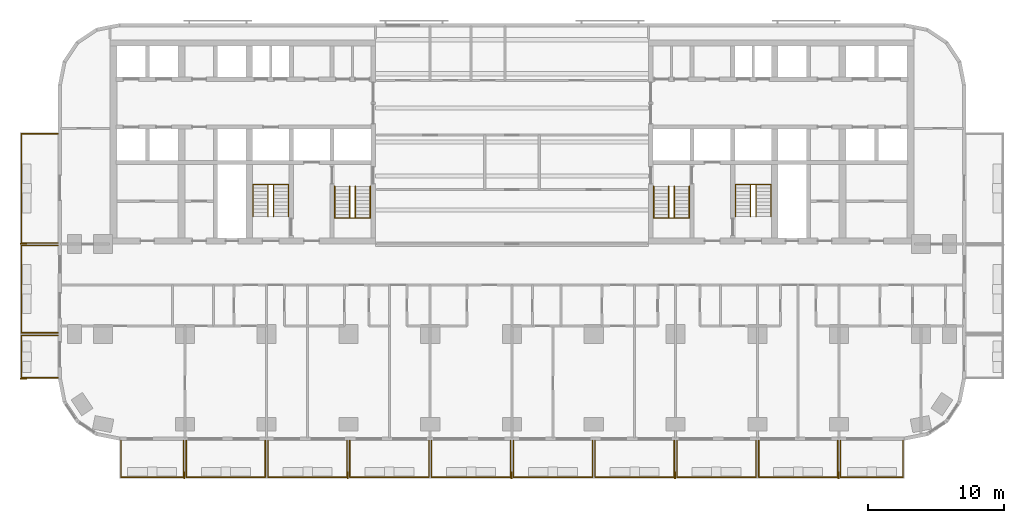
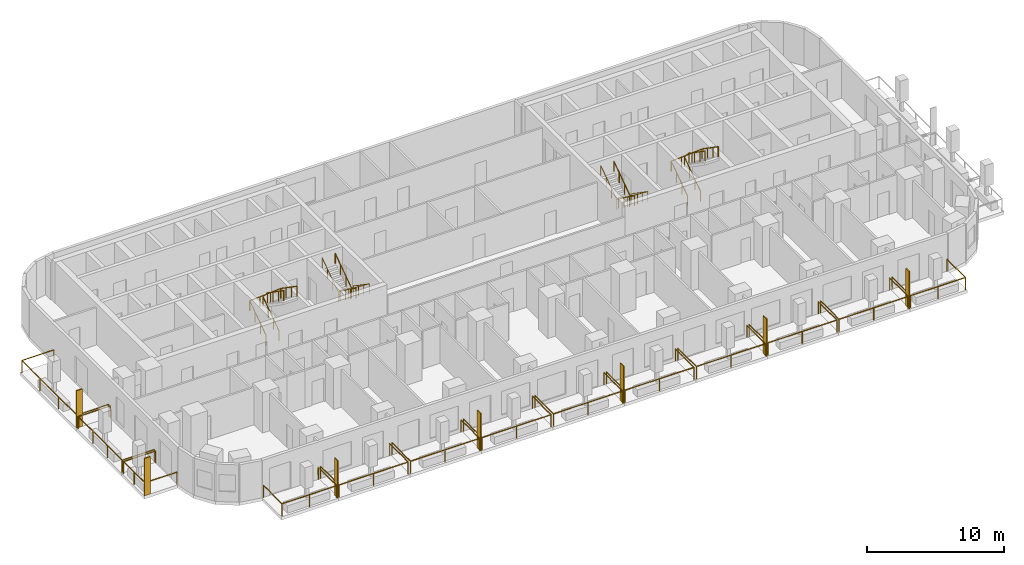
# One storey, part 13 of 15: 21 railings, 7 shading devices.
"""IFC4 building model written with IfcOpenShell, lengths in metres."""

from ifc_helpers import new_model, si_unit, direction, frame, origin, origin_2d, place, context, subcontext, project, spatial, rectangle, circle, extrude, material, layer, layer_set, type_object, element, save


model = new_model("IFC4")

# Units and contexts
model_context = context("Model", 3, precision=1e-05, world=origin(), true_north=direction((0.0, 1.0)))
body_context = subcontext(model_context, "Body", "Model", "MODEL_VIEW")
ifc_project = project(units=[si_unit("LENGTHUNIT", "METRE"), si_unit("AREAUNIT", "SQUARE_METRE"), si_unit("VOLUMEUNIT", "CUBIC_METRE"), si_unit("PLANEANGLEUNIT", "RADIAN"), si_unit("MASSUNIT", "GRAM", prefix="KILO")], contexts=[model_context])

# Site, building, storey
site_placement = place(None, origin())
site = spatial("IfcSite", under=ifc_project, at=site_placement, CompositionType="ELEMENT")
building_placement = place(site_placement, origin())
building = spatial("IfcBuilding", under=site, at=building_placement, Name="Torana Hotel and Residences", CompositionType="ELEMENT")
storey_placement = place(building_placement, frame((0.0, 0.0, 67.199951171875)))
storey = spatial("IfcBuildingStorey", under=building, at=storey_placement, Name="L16", CompositionType="ELEMENT", Elevation=67.199951171875)

# Shading devices
ifc_material_1 = material(Name="Black powder coated aluminium", Category="aluminium")
ifc_layer = layer(ifc_material_1, 0.080078125)
ifc_layer_set = layer_set([ifc_layer], Name="FN1 VERTICAL FIN 500x80")
shading_device_type = type_object("IfcShadingDeviceType", Name="FN1 VERTICAL FIN 500x80", PredefinedType="USERDEFINED", material=ifc_layer_set)
for number, where, z_axis, x_axis, name in (
    (1, (-24.0400390625, -31.949951171875, 0.0), (0.0, 0.0, 1.0), (-1.0, 0.0, 0.0), "Fin 01"),
    (2, (-12.0400390625, -31.949951171875, 0.0), (0.0, 0.0, 1.0), (-1.0, 0.0, 0.0), "Fin 03"),
    (3, (-0.0400390625, -31.949951171875, 0.0), (0.0, 0.0, 1.0), (-1.0, 0.0, 0.0), "Fin 05"),
    (4, (11.9599609375, -31.949951171875, 0.0), (0.0, 0.0, 1.0), (-1.0, 0.0, 0.0), "Fin 07"),
    (5, (23.9599609375, -31.949951171875, 0.0), (0.0, 0.0, 1.0), (-1.0, 0.0, 0.0), "Fin 09"),
    (6, (-35.85009765625, -24.860107421875, 0.0), (0.0, 0.0, 1.0), (0.0, 1.0, 0.0), "Fin 11"),
    (7, (-35.85009765625, -14.9599609375, 0.0), (0.0, 0.0, 1.0), (0.0, 1.0, 0.0), "Fin 13"),
):
    element("IfcShadingDevice", number, at=place(storey_placement, frame(where, z_axis=z_axis, x_axis=x_axis)), inside=storey, type_object=shading_device_type, Name=name, ObjectType="FIN", PredefinedType="USERDEFINED", context=body_context, shape_type="SweptSolid", body=[
        extrude(rectangle(XDim=0.080078125, YDim=0.5, at=origin_2d()), origin(), (0.0, 0.0, 1.0), 3.320068359375),
    ])

# Railings
ifc_material_2 = material(Name="Laminated glass balustrade with black handrail", Category="glass")
railing_type_1 = type_object("IfcRailingType", Name="GR1 BALCONY GUARD 1100 GLASS", PredefinedType="GUARDRAIL", material=ifc_material_2)
railing_1_placement = place(storey_placement, frame((-24.10009765625, -29.39990234375, 0.0)))
element("IfcRailing", 8, at=railing_1_placement, inside=storey, type_object=railing_type_1, Name="Balcony guard 01", PredefinedType="GUARDRAIL", context=body_context, shape_type="SweptSolid", body=[
    extrude(circle(Radius=0.02392578125, at=origin_2d()), frame((0.0, 0.0, 1.076171875), z_axis=(0.0, -1.0, 0.0), x_axis=(1.0, 0.0, 0.0)), (0.0, 0.0, 1.0), 2.7001953125),
    extrude(circle(Radius=0.02392578125, at=origin_2d()), frame((0.0, -2.7001953125, 1.076171875), z_axis=(-1.0, 0.0, 0.0), x_axis=(0.0, -1.0, 0.0)), (0.0, 0.0, 1.0), 4.599853515625),
    extrude(circle(Radius=0.02392578125, at=origin_2d()), frame((-4.599853515625, -2.7001953125, 1.076171875), z_axis=(0.0, 1.0, 0.0), x_axis=(-1.0, 0.0, 0.0)), (0.0, 0.0, 1.0), 2.7001953125),
    extrude(circle(Radius=0.02099609375, at=origin_2d()), origin(), (0.0, 0.0, 1.0), 1.052001953125),
    extrude(circle(Radius=0.02099609375, at=origin_2d()), frame((0.0, -2.7001953125, 0.0)), (0.0, 0.0, 1.0), 1.052001953125),
    extrude(circle(Radius=0.02099609375, at=origin_2d()), frame((-2.2998046875, -2.7001953125, 0.0)), (0.0, 0.0, 1.0), 1.052001953125),
    extrude(circle(Radius=0.02099609375, at=origin_2d()), frame((-4.599853515625, -2.7001953125, 0.0)), (0.0, 0.0, 1.0), 1.052001953125),
    extrude(circle(Radius=0.02099609375, at=origin_2d()), frame((-4.599853515625, 0.0, 0.0)), (0.0, 0.0, 1.0), 1.052001953125),
])
for number, where, name in (
    (9, (-18.10009765625, -29.39990234375, 0.0), "Balcony guard 02"),
    (10, (-12.10009765625, -29.39990234375, 0.0), "Balcony guard 03"),
    (11, (-6.10009765625, -29.39990234375, 0.0), "Balcony guard 04"),
    (12, (-0.10009765625, -29.39990234375, 0.0), "Balcony guard 05"),
    (13, (5.89990234375, -29.39990234375, 0.0), "Balcony guard 06"),
    (14, (11.89990234375, -29.39990234375, 0.0), "Balcony guard 07"),
    (15, (17.89990234375, -29.39990234375, 0.0), "Balcony guard 08"),
    (16, (23.89990234375, -29.39990234375, 0.0), "Balcony guard 09"),
):
    element("IfcRailing", number, at=place(storey_placement, frame(where)), inside=storey, type_object=railing_type_1, Name=name, PredefinedType="GUARDRAIL", context=body_context, shape_type="SweptSolid", body=[
        extrude(circle(Radius=0.02392578125, at=origin_2d()), frame((0.0, 0.0, 1.076171875), z_axis=(0.0, -1.0, 0.0), x_axis=(1.0, 0.0, 0.0)), (0.0, 0.0, 1.0), 2.7001953125),
        extrude(circle(Radius=0.02392578125, at=origin_2d()), frame((0.0, -2.7001953125, 1.076171875), z_axis=(-1.0, 0.0, 0.0), x_axis=(0.0, -1.0, 0.0)), (0.0, 0.0, 1.0), 5.7998046875),
        extrude(circle(Radius=0.02392578125, at=origin_2d()), frame((-5.7998046875, -2.7001953125, 1.076171875), z_axis=(0.0, 1.0, 0.0), x_axis=(-1.0, 0.0, 0.0)), (0.0, 0.0, 1.0), 2.7001953125),
        extrude(circle(Radius=0.02099609375, at=origin_2d()), origin(), (0.0, 0.0, 1.0), 1.052001953125),
        extrude(circle(Radius=0.02099609375, at=origin_2d()), frame((0.0, -2.7001953125, 0.0)), (0.0, 0.0, 1.0), 1.052001953125),
        extrude(circle(Radius=0.02099609375, at=origin_2d()), frame((-2.89990234375, -2.7001953125, 0.0)), (0.0, 0.0, 1.0), 1.052001953125),
        extrude(circle(Radius=0.02099609375, at=origin_2d()), frame((-5.7998046875, -2.7001953125, 0.0)), (0.0, 0.0, 1.0), 1.052001953125),
        extrude(circle(Radius=0.02099609375, at=origin_2d()), frame((-5.7998046875, 0.0, 0.0)), (0.0, 0.0, 1.0), 1.052001953125),
    ])
railing_2_placement = place(storey_placement, frame((28.699951171875, -29.39990234375, 0.0)))
element("IfcRailing", 17, at=railing_2_placement, inside=storey, type_object=railing_type_1, Name="Balcony guard 10", PredefinedType="GUARDRAIL", context=body_context, shape_type="SweptSolid", body=[
    extrude(circle(Radius=0.02392578125, at=origin_2d()), frame((0.0, 0.0, 1.076171875), z_axis=(0.0, -1.0, 0.0), x_axis=(1.0, 0.0, 0.0)), (0.0, 0.0, 1.0), 2.7001953125),
    extrude(circle(Radius=0.02392578125, at=origin_2d()), frame((0.0, -2.7001953125, 1.076171875), z_axis=(-1.0, 0.0, 0.0), x_axis=(0.0, -1.0, 0.0)), (0.0, 0.0, 1.0), 4.599853515625),
    extrude(circle(Radius=0.02392578125, at=origin_2d()), frame((-4.599853515625, -2.7001953125, 1.076171875), z_axis=(0.0, 1.0, 0.0), x_axis=(-1.0, 0.0, 0.0)), (0.0, 0.0, 1.0), 2.7001953125),
    extrude(circle(Radius=0.02099609375, at=origin_2d()), origin(), (0.0, 0.0, 1.0), 1.052001953125),
    extrude(circle(Radius=0.02099609375, at=origin_2d()), frame((0.0, -2.7001953125, 0.0)), (0.0, 0.0, 1.0), 1.052001953125),
    extrude(circle(Radius=0.02099609375, at=origin_2d()), frame((-2.2998046875, -2.7001953125, 0.0)), (0.0, 0.0, 1.0), 1.052001953125),
    extrude(circle(Radius=0.02099609375, at=origin_2d()), frame((-4.599853515625, -2.7001953125, 0.0)), (0.0, 0.0, 1.0), 1.052001953125),
    extrude(circle(Radius=0.02099609375, at=origin_2d()), frame((-4.599853515625, 0.0, 0.0)), (0.0, 0.0, 1.0), 1.052001953125),
])
railing_3_placement = place(storey_placement, frame((-33.300048828125, -24.800048828125, 0.0)))
element("IfcRailing", 18, at=railing_3_placement, inside=storey, type_object=railing_type_1, Name="Balcony guard 11", PredefinedType="GUARDRAIL", context=body_context, shape_type="SweptSolid", body=[
    extrude(circle(Radius=0.02392578125, at=origin_2d()), frame((0.0, 0.0, 1.076171875), z_axis=(-1.0, 0.0, 0.0), x_axis=(0.0, -1.0, 0.0)), (0.0, 0.0, 1.0), 2.699951171875),
    extrude(circle(Radius=0.02392578125, at=origin_2d()), frame((-2.699951171875, 0.0, 1.076171875), z_axis=(0.0, 1.0, 0.0), x_axis=(-1.0, 0.0, 0.0)), (0.0, 0.0, 1.0), 3.10009765625),
    extrude(circle(Radius=0.02392578125, at=origin_2d()), frame((-2.699951171875, 3.10009765625, 1.076171875), z_axis=(1.0, 0.0, 0.0), x_axis=(0.0, 1.0, 0.0)), (0.0, 0.0, 1.0), 2.699951171875),
    extrude(circle(Radius=0.02099609375, at=origin_2d()), origin(), (0.0, 0.0, 1.0), 1.052001953125),
    extrude(circle(Radius=0.02099609375, at=origin_2d()), frame((-2.699951171875, 0.0, 0.0)), (0.0, 0.0, 1.0), 1.052001953125),
    extrude(circle(Radius=0.02099609375, at=origin_2d()), frame((-2.699951171875, 1.550048828125, 0.0)), (0.0, 0.0, 1.0), 1.052001953125),
    extrude(circle(Radius=0.02099609375, at=origin_2d()), frame((-2.699951171875, 3.10009765625, 0.0)), (0.0, 0.0, 1.0), 1.052001953125),
    extrude(circle(Radius=0.02099609375, at=origin_2d()), frame((0.0, 3.10009765625, 0.0)), (0.0, 0.0, 1.0), 1.052001953125),
])
railing_4_placement = place(storey_placement, frame((-33.300048828125, -21.5, 0.0)))
element("IfcRailing", 19, at=railing_4_placement, inside=storey, type_object=railing_type_1, Name="Balcony guard 12", PredefinedType="GUARDRAIL", context=body_context, shape_type="SweptSolid", body=[
    extrude(circle(Radius=0.02392578125, at=origin_2d()), frame((0.0, 0.0, 1.076171875), z_axis=(-1.0, 0.0, 0.0), x_axis=(0.0, -1.0, 0.0)), (0.0, 0.0, 1.0), 2.699951171875),
    extrude(circle(Radius=0.02392578125, at=origin_2d()), frame((-2.699951171875, 0.0, 1.076171875), z_axis=(0.0, 1.0, 0.0), x_axis=(-1.0, 0.0, 0.0)), (0.0, 0.0, 1.0), 6.39990234375),
    extrude(circle(Radius=0.02392578125, at=origin_2d()), frame((-2.699951171875, 6.39990234375, 1.076171875), z_axis=(1.0, 0.0, 0.0), x_axis=(0.0, 1.0, 0.0)), (0.0, 0.0, 1.0), 2.699951171875),
    extrude(circle(Radius=0.02099609375, at=origin_2d()), origin(), (0.0, 0.0, 1.0), 1.052001953125),
    extrude(circle(Radius=0.02099609375, at=origin_2d()), frame((-2.699951171875, 0.0, 0.0)), (0.0, 0.0, 1.0), 1.052001953125),
    extrude(circle(Radius=0.02099609375, at=origin_2d()), frame((-2.699951171875, 2.13330078125, 0.0)), (0.0, 0.0, 1.0), 1.052001953125),
    extrude(circle(Radius=0.02099609375, at=origin_2d()), frame((-2.699951171875, 4.2666015625, 0.0)), (0.0, 0.0, 1.0), 1.052001953125),
    extrude(circle(Radius=0.02099609375, at=origin_2d()), frame((-2.699951171875, 6.39990234375, 0.0)), (0.0, 0.0, 1.0), 1.052001953125),
    extrude(circle(Radius=0.02099609375, at=origin_2d()), frame((0.0, 6.39990234375, 0.0)), (0.0, 0.0, 1.0), 1.052001953125),
])
railing_5_placement = place(storey_placement, frame((-33.300048828125, -14.89990234375, 0.0)))
element("IfcRailing", 20, at=railing_5_placement, inside=storey, type_object=railing_type_1, Name="Balcony guard 13", PredefinedType="GUARDRAIL", context=body_context, shape_type="SweptSolid", body=[
    extrude(circle(Radius=0.02392578125, at=origin_2d()), frame((0.0, 0.0, 1.076171875), z_axis=(-1.0, 0.0, 0.0), x_axis=(0.0, -1.0, 0.0)), (0.0, 0.0, 1.0), 2.699951171875),
    extrude(circle(Radius=0.02392578125, at=origin_2d()), frame((-2.699951171875, 0.0, 1.076171875), z_axis=(0.0, 1.0, 0.0), x_axis=(-1.0, 0.0, 0.0)), (0.0, 0.0, 1.0), 8.0),
    extrude(circle(Radius=0.02392578125, at=origin_2d()), frame((-2.699951171875, 8.0, 1.076171875), z_axis=(1.0, 0.0, 0.0), x_axis=(0.0, 1.0, 0.0)), (0.0, 0.0, 1.0), 2.699951171875),
    extrude(circle(Radius=0.02099609375, at=origin_2d()), origin(), (0.0, 0.0, 1.0), 1.052001953125),
    extrude(circle(Radius=0.02099609375, at=origin_2d()), frame((-2.699951171875, 0.0, 0.0)), (0.0, 0.0, 1.0), 1.052001953125),
    extrude(circle(Radius=0.02099609375, at=origin_2d()), frame((-2.699951171875, 2.666748046875, 0.0)), (0.0, 0.0, 1.0), 1.052001953125),
    extrude(circle(Radius=0.02099609375, at=origin_2d()), frame((-2.699951171875, 5.333251953125, 0.0)), (0.0, 0.0, 1.0), 1.052001953125),
    extrude(circle(Radius=0.02099609375, at=origin_2d()), frame((-2.699951171875, 8.0, 0.0)), (0.0, 0.0, 1.0), 1.052001953125),
    extrude(circle(Radius=0.02099609375, at=origin_2d()), frame((0.0, 8.0, 0.0)), (0.0, 0.0, 1.0), 1.052001953125),
])
ifc_material_3 = material(Name="Stainless steel 316", Category="steel")
railing_type_2 = type_object("IfcRailingType", Name="STAIR HANDRAIL HR1 900", PredefinedType="HANDRAIL", material=ifc_material_3)
railing_6_placement = place(storey_placement, frame((-10.39990234375, -10.75, 0.179931640625)))
element("IfcRailing", 21, at=railing_6_placement, inside=storey, type_object=railing_type_2, Name="Handrail ST1 L16 O1", PredefinedType="HANDRAIL", context=body_context, shape_type="SweptSolid", body=[
    extrude(circle(Radius=0.02392578125, at=origin_2d()), frame((0.0, 0.0, 0.8759765625), z_axis=(0.0, -0.822182927502, 0.569223360136), x_axis=(1.0, 0.0, 0.0)), (0.0, 0.0, 1.0), 2.84619140625),
    extrude(circle(Radius=0.02392578125, at=origin_2d()), frame((0.0, -2.340087890625, 2.49609375), z_axis=(-0.997614115953, 0.0, 0.069036770278), x_axis=(0.0, -1.0, 0.0)), (0.0, 0.0, 1.0), 2.606201171875),
    extrude(circle(Radius=0.02392578125, at=origin_2d()), frame((-2.60009765625, -2.340087890625, 2.67578125), z_axis=(0.0, 0.822182927502, 0.569223360136), x_axis=(-1.0, 0.0, 0.0)), (0.0, 0.0, 1.0), 2.84619140625),
    extrude(circle(Radius=0.02099609375, at=origin_2d()), origin(), (0.0, 0.0, 1.0), 0.851806640625),
    extrude(circle(Radius=0.02099609375, at=origin_2d()), frame((0.0, -0.780029296875, 0.5400390625)), (0.0, 0.0, 1.0), 0.851806640625),
    extrude(circle(Radius=0.02099609375, at=origin_2d()), frame((0.0, -1.56005859375, 1.080078125)), (0.0, 0.0, 1.0), 0.851806640625),
    extrude(circle(Radius=0.02099609375, at=origin_2d()), frame((0.0, -2.340087890625, 1.6201171875)), (0.0, 0.0, 1.0), 0.851806640625),
    extrude(circle(Radius=0.02099609375, at=origin_2d()), frame((-0.86669921875, -2.340087890625, 1.68017578125)), (0.0, 0.0, 1.0), 0.851806640625),
    extrude(circle(Radius=0.02099609375, at=origin_2d()), frame((-1.7333984375, -2.340087890625, 1.739990234375)), (0.0, 0.0, 1.0), 0.851806640625),
    extrude(circle(Radius=0.02099609375, at=origin_2d()), frame((-2.60009765625, -2.340087890625, 1.800048828125)), (0.0, 0.0, 1.0), 0.851806640625),
    extrude(circle(Radius=0.02099609375, at=origin_2d()), frame((-2.60009765625, -1.56005859375, 2.340087890625)), (0.0, 0.0, 1.0), 0.851806640625),
    extrude(circle(Radius=0.02099609375, at=origin_2d()), frame((-2.60009765625, -0.780029296875, 2.880126953125)), (0.0, 0.0, 1.0), 0.851806640625),
    extrude(circle(Radius=0.02099609375, at=origin_2d()), frame((-2.60009765625, 0.0, 3.420166015625)), (0.0, 0.0, 1.0), 0.851806640625),
])
railing_7_placement = place(storey_placement, frame((-11.5, -10.75, 0.179931640625)))
element("IfcRailing", 22, at=railing_7_placement, inside=storey, type_object=railing_type_2, Name="Handrail ST1 L16 I1", PredefinedType="HANDRAIL", context=body_context, shape_type="SweptSolid", body=[
    extrude(circle(Radius=0.02392578125, at=origin_2d()), frame((0.0, 0.0, 0.8759765625), z_axis=(0.0, -0.822182927502, 0.569223360136), x_axis=(1.0, 0.0, 0.0)), (0.0, 0.0, 1.0), 2.84619140625),
    extrude(circle(Radius=0.02392578125, at=origin_2d()), frame((0.0, -2.340087890625, 2.49609375), z_axis=(-0.911942338396, 0.0, 0.410318378143), x_axis=(0.0, -1.0, 0.0)), (0.0, 0.0, 1.0), 0.4384765625),
    extrude(circle(Radius=0.02392578125, at=origin_2d()), frame((-0.39990234375, -2.340087890625, 2.67578125), z_axis=(0.0, 0.822182927502, 0.569223360136), x_axis=(-1.0, 0.0, 0.0)), (0.0, 0.0, 1.0), 2.84619140625),
    extrude(circle(Radius=0.02099609375, at=origin_2d()), origin(), (0.0, 0.0, 1.0), 0.851806640625),
    extrude(circle(Radius=0.02099609375, at=origin_2d()), frame((0.0, -0.780029296875, 0.5400390625)), (0.0, 0.0, 1.0), 0.851806640625),
    extrude(circle(Radius=0.02099609375, at=origin_2d()), frame((0.0, -1.56005859375, 1.080078125)), (0.0, 0.0, 1.0), 0.851806640625),
    extrude(circle(Radius=0.02099609375, at=origin_2d()), frame((0.0, -2.340087890625, 1.6201171875)), (0.0, 0.0, 1.0), 0.851806640625),
    extrude(circle(Radius=0.02099609375, at=origin_2d()), frame((-0.39990234375, -2.340087890625, 1.800048828125)), (0.0, 0.0, 1.0), 0.851806640625),
    extrude(circle(Radius=0.02099609375, at=origin_2d()), frame((-0.39990234375, -1.56005859375, 2.340087890625)), (0.0, 0.0, 1.0), 0.851806640625),
    extrude(circle(Radius=0.02099609375, at=origin_2d()), frame((-0.39990234375, -0.780029296875, 2.880126953125)), (0.0, 0.0, 1.0), 0.851806640625),
    extrude(circle(Radius=0.02099609375, at=origin_2d()), frame((-0.39990234375, 0.0, 3.420166015625)), (0.0, 0.0, 1.0), 0.851806640625),
])
railing_8_placement = place(storey_placement, frame((-19.0, -12.949951171875, 0.179931640625)))
element("IfcRailing", 23, at=railing_8_placement, inside=storey, type_object=railing_type_2, Name="Handrail ST2 L16 O1", PredefinedType="HANDRAIL", context=body_context, shape_type="SweptSolid", body=[
    extrude(circle(Radius=0.02392578125, at=origin_2d()), frame((0.0, 0.0, 0.8759765625), z_axis=(0.0, 0.822155131156, 0.569263506923), x_axis=(-1.0, 0.0, 0.0)), (0.0, 0.0, 1.0), 2.845947265625),
    extrude(circle(Radius=0.02392578125, at=origin_2d()), frame((0.0, 2.33984375, 2.49609375), z_axis=(0.997614115953, 0.0, 0.069036770278), x_axis=(0.0, 1.0, 0.0)), (0.0, 0.0, 1.0), 2.606201171875),
    extrude(circle(Radius=0.02392578125, at=origin_2d()), frame((2.60009765625, 2.33984375, 2.67578125), z_axis=(0.0, -0.822155131156, 0.569263506923), x_axis=(1.0, 0.0, 0.0)), (0.0, 0.0, 1.0), 2.845947265625),
    extrude(circle(Radius=0.02099609375, at=origin_2d()), origin(), (0.0, 0.0, 1.0), 0.851806640625),
    extrude(circle(Radius=0.02099609375, at=origin_2d()), frame((0.0, 0.780029296875, 0.5400390625)), (0.0, 0.0, 1.0), 0.851806640625),
    extrude(circle(Radius=0.02099609375, at=origin_2d()), frame((0.0, 1.559814453125, 1.080078125)), (0.0, 0.0, 1.0), 0.851806640625),
    extrude(circle(Radius=0.02099609375, at=origin_2d()), frame((0.0, 2.33984375, 1.6201171875)), (0.0, 0.0, 1.0), 0.851806640625),
    extrude(circle(Radius=0.02099609375, at=origin_2d()), frame((0.86669921875, 2.33984375, 1.68017578125)), (0.0, 0.0, 1.0), 0.851806640625),
    extrude(circle(Radius=0.02099609375, at=origin_2d()), frame((1.7333984375, 2.33984375, 1.739990234375)), (0.0, 0.0, 1.0), 0.851806640625),
    extrude(circle(Radius=0.02099609375, at=origin_2d()), frame((2.60009765625, 2.33984375, 1.800048828125)), (0.0, 0.0, 1.0), 0.851806640625),
    extrude(circle(Radius=0.02099609375, at=origin_2d()), frame((2.60009765625, 1.559814453125, 2.340087890625)), (0.0, 0.0, 1.0), 0.851806640625),
    extrude(circle(Radius=0.02099609375, at=origin_2d()), frame((2.60009765625, 0.780029296875, 2.880126953125)), (0.0, 0.0, 1.0), 0.851806640625),
    extrude(circle(Radius=0.02099609375, at=origin_2d()), frame((2.60009765625, 0.0, 3.420166015625)), (0.0, 0.0, 1.0), 0.851806640625),
])
railing_9_placement = place(storey_placement, frame((-17.89990234375, -12.949951171875, 0.179931640625)))
element("IfcRailing", 24, at=railing_9_placement, inside=storey, type_object=railing_type_2, Name="Handrail ST2 L16 I1", PredefinedType="HANDRAIL", context=body_context, shape_type="SweptSolid", body=[
    extrude(circle(Radius=0.02392578125, at=origin_2d()), frame((0.0, 0.0, 0.8759765625), z_axis=(0.0, 0.822155131156, 0.569263506923), x_axis=(-1.0, 0.0, 0.0)), (0.0, 0.0, 1.0), 2.845947265625),
    extrude(circle(Radius=0.02392578125, at=origin_2d()), frame((0.0, 2.33984375, 2.49609375), z_axis=(0.911942338396, 0.0, 0.410318378143), x_axis=(0.0, 1.0, 0.0)), (0.0, 0.0, 1.0), 0.4384765625),
    extrude(circle(Radius=0.02392578125, at=origin_2d()), frame((0.39990234375, 2.33984375, 2.67578125), z_axis=(0.0, -0.822155131156, 0.569263506923), x_axis=(1.0, 0.0, 0.0)), (0.0, 0.0, 1.0), 2.845947265625),
    extrude(circle(Radius=0.02099609375, at=origin_2d()), origin(), (0.0, 0.0, 1.0), 0.851806640625),
    extrude(circle(Radius=0.02099609375, at=origin_2d()), frame((0.0, 0.780029296875, 0.5400390625)), (0.0, 0.0, 1.0), 0.851806640625),
    extrude(circle(Radius=0.02099609375, at=origin_2d()), frame((0.0, 1.559814453125, 1.080078125)), (0.0, 0.0, 1.0), 0.851806640625),
    extrude(circle(Radius=0.02099609375, at=origin_2d()), frame((0.0, 2.33984375, 1.6201171875)), (0.0, 0.0, 1.0), 0.851806640625),
    extrude(circle(Radius=0.02099609375, at=origin_2d()), frame((0.39990234375, 2.33984375, 1.800048828125)), (0.0, 0.0, 1.0), 0.851806640625),
    extrude(circle(Radius=0.02099609375, at=origin_2d()), frame((0.39990234375, 1.559814453125, 2.340087890625)), (0.0, 0.0, 1.0), 0.851806640625),
    extrude(circle(Radius=0.02099609375, at=origin_2d()), frame((0.39990234375, 0.780029296875, 2.880126953125)), (0.0, 0.0, 1.0), 0.851806640625),
    extrude(circle(Radius=0.02099609375, at=origin_2d()), frame((0.39990234375, 0.0, 3.420166015625)), (0.0, 0.0, 1.0), 0.851806640625),
])
railing_10_placement = place(storey_placement, frame((13.0, -10.75, 0.179931640625)))
element("IfcRailing", 25, at=railing_10_placement, inside=storey, type_object=railing_type_2, Name="Handrail ST3 L16 O1", PredefinedType="HANDRAIL", context=body_context, shape_type="SweptSolid", body=[
    extrude(circle(Radius=0.02392578125, at=origin_2d()), frame((0.0, 0.0, 0.8759765625), z_axis=(0.0, -0.822182927502, 0.569223360136), x_axis=(1.0, 0.0, 0.0)), (0.0, 0.0, 1.0), 2.84619140625),
    extrude(circle(Radius=0.02392578125, at=origin_2d()), frame((0.0, -2.340087890625, 2.49609375), z_axis=(-0.997614115953, 0.0, 0.069036770278), x_axis=(0.0, -1.0, 0.0)), (0.0, 0.0, 1.0), 2.606201171875),
    extrude(circle(Radius=0.02392578125, at=origin_2d()), frame((-2.60009765625, -2.340087890625, 2.67578125), z_axis=(0.0, 0.822182927502, 0.569223360136), x_axis=(-1.0, 0.0, 0.0)), (0.0, 0.0, 1.0), 2.84619140625),
    extrude(circle(Radius=0.02099609375, at=origin_2d()), origin(), (0.0, 0.0, 1.0), 0.851806640625),
    extrude(circle(Radius=0.02099609375, at=origin_2d()), frame((0.0, -0.780029296875, 0.5400390625)), (0.0, 0.0, 1.0), 0.851806640625),
    extrude(circle(Radius=0.02099609375, at=origin_2d()), frame((0.0, -1.56005859375, 1.080078125)), (0.0, 0.0, 1.0), 0.851806640625),
    extrude(circle(Radius=0.02099609375, at=origin_2d()), frame((0.0, -2.340087890625, 1.6201171875)), (0.0, 0.0, 1.0), 0.851806640625),
    extrude(circle(Radius=0.02099609375, at=origin_2d()), frame((-0.86669921875, -2.340087890625, 1.68017578125)), (0.0, 0.0, 1.0), 0.851806640625),
    extrude(circle(Radius=0.02099609375, at=origin_2d()), frame((-1.7333984375, -2.340087890625, 1.739990234375)), (0.0, 0.0, 1.0), 0.851806640625),
    extrude(circle(Radius=0.02099609375, at=origin_2d()), frame((-2.60009765625, -2.340087890625, 1.800048828125)), (0.0, 0.0, 1.0), 0.851806640625),
    extrude(circle(Radius=0.02099609375, at=origin_2d()), frame((-2.60009765625, -1.56005859375, 2.340087890625)), (0.0, 0.0, 1.0), 0.851806640625),
    extrude(circle(Radius=0.02099609375, at=origin_2d()), frame((-2.60009765625, -0.780029296875, 2.880126953125)), (0.0, 0.0, 1.0), 0.851806640625),
    extrude(circle(Radius=0.02099609375, at=origin_2d()), frame((-2.60009765625, 0.0, 3.420166015625)), (0.0, 0.0, 1.0), 0.851806640625),
])
railing_11_placement = place(storey_placement, frame((11.89990234375, -10.75, 0.179931640625)))
element("IfcRailing", 26, at=railing_11_placement, inside=storey, type_object=railing_type_2, Name="Handrail ST3 L16 I1", PredefinedType="HANDRAIL", context=body_context, shape_type="SweptSolid", body=[
    extrude(circle(Radius=0.02392578125, at=origin_2d()), frame((0.0, 0.0, 0.8759765625), z_axis=(0.0, -0.822182927502, 0.569223360136), x_axis=(1.0, 0.0, 0.0)), (0.0, 0.0, 1.0), 2.84619140625),
    extrude(circle(Radius=0.02392578125, at=origin_2d()), frame((0.0, -2.340087890625, 2.49609375), z_axis=(-0.911942338396, 0.0, 0.410318378143), x_axis=(0.0, -1.0, 0.0)), (0.0, 0.0, 1.0), 0.4384765625),
    extrude(circle(Radius=0.02392578125, at=origin_2d()), frame((-0.39990234375, -2.340087890625, 2.67578125), z_axis=(0.0, 0.822182927502, 0.569223360136), x_axis=(-1.0, 0.0, 0.0)), (0.0, 0.0, 1.0), 2.84619140625),
    extrude(circle(Radius=0.02099609375, at=origin_2d()), origin(), (0.0, 0.0, 1.0), 0.851806640625),
    extrude(circle(Radius=0.02099609375, at=origin_2d()), frame((0.0, -0.780029296875, 0.5400390625)), (0.0, 0.0, 1.0), 0.851806640625),
    extrude(circle(Radius=0.02099609375, at=origin_2d()), frame((0.0, -1.56005859375, 1.080078125)), (0.0, 0.0, 1.0), 0.851806640625),
    extrude(circle(Radius=0.02099609375, at=origin_2d()), frame((0.0, -2.340087890625, 1.6201171875)), (0.0, 0.0, 1.0), 0.851806640625),
    extrude(circle(Radius=0.02099609375, at=origin_2d()), frame((-0.39990234375, -2.340087890625, 1.800048828125)), (0.0, 0.0, 1.0), 0.851806640625),
    extrude(circle(Radius=0.02099609375, at=origin_2d()), frame((-0.39990234375, -1.56005859375, 2.340087890625)), (0.0, 0.0, 1.0), 0.851806640625),
    extrude(circle(Radius=0.02099609375, at=origin_2d()), frame((-0.39990234375, -0.780029296875, 2.880126953125)), (0.0, 0.0, 1.0), 0.851806640625),
    extrude(circle(Radius=0.02099609375, at=origin_2d()), frame((-0.39990234375, 0.0, 3.420166015625)), (0.0, 0.0, 1.0), 0.851806640625),
])
railing_12_placement = place(storey_placement, frame((16.39990234375, -12.949951171875, 0.179931640625)))
element("IfcRailing", 27, at=railing_12_placement, inside=storey, type_object=railing_type_2, Name="Handrail ST4 L16 O1", PredefinedType="HANDRAIL", context=body_context, shape_type="SweptSolid", body=[
    extrude(circle(Radius=0.02392578125, at=origin_2d()), frame((0.0, 0.0, 0.8759765625), z_axis=(0.0, 0.822155131156, 0.569263506923), x_axis=(-1.0, 0.0, 0.0)), (0.0, 0.0, 1.0), 2.845947265625),
    extrude(circle(Radius=0.02392578125, at=origin_2d()), frame((0.0, 2.33984375, 2.49609375), z_axis=(0.997614115953, 0.0, 0.069036770278), x_axis=(0.0, 1.0, 0.0)), (0.0, 0.0, 1.0), 2.606201171875),
    extrude(circle(Radius=0.02392578125, at=origin_2d()), frame((2.60009765625, 2.33984375, 2.67578125), z_axis=(0.0, -0.822155131156, 0.569263506923), x_axis=(1.0, 0.0, 0.0)), (0.0, 0.0, 1.0), 2.845947265625),
    extrude(circle(Radius=0.02099609375, at=origin_2d()), origin(), (0.0, 0.0, 1.0), 0.851806640625),
    extrude(circle(Radius=0.02099609375, at=origin_2d()), frame((0.0, 0.780029296875, 0.5400390625)), (0.0, 0.0, 1.0), 0.851806640625),
    extrude(circle(Radius=0.02099609375, at=origin_2d()), frame((0.0, 1.559814453125, 1.080078125)), (0.0, 0.0, 1.0), 0.851806640625),
    extrude(circle(Radius=0.02099609375, at=origin_2d()), frame((0.0, 2.33984375, 1.6201171875)), (0.0, 0.0, 1.0), 0.851806640625),
    extrude(circle(Radius=0.02099609375, at=origin_2d()), frame((0.86669921875, 2.33984375, 1.68017578125)), (0.0, 0.0, 1.0), 0.851806640625),
    extrude(circle(Radius=0.02099609375, at=origin_2d()), frame((1.7333984375, 2.33984375, 1.739990234375)), (0.0, 0.0, 1.0), 0.851806640625),
    extrude(circle(Radius=0.02099609375, at=origin_2d()), frame((2.60009765625, 2.33984375, 1.800048828125)), (0.0, 0.0, 1.0), 0.851806640625),
    extrude(circle(Radius=0.02099609375, at=origin_2d()), frame((2.60009765625, 1.559814453125, 2.340087890625)), (0.0, 0.0, 1.0), 0.851806640625),
    extrude(circle(Radius=0.02099609375, at=origin_2d()), frame((2.60009765625, 0.780029296875, 2.880126953125)), (0.0, 0.0, 1.0), 0.851806640625),
    extrude(circle(Radius=0.02099609375, at=origin_2d()), frame((2.60009765625, 0.0, 3.420166015625)), (0.0, 0.0, 1.0), 0.851806640625),
])
railing_13_placement = place(storey_placement, frame((17.5, -12.949951171875, 0.179931640625)))
element("IfcRailing", 28, at=railing_13_placement, inside=storey, type_object=railing_type_2, Name="Handrail ST4 L16 I1", PredefinedType="HANDRAIL", context=body_context, shape_type="SweptSolid", body=[
    extrude(circle(Radius=0.02392578125, at=origin_2d()), frame((0.0, 0.0, 0.8759765625), z_axis=(0.0, 0.822155131156, 0.569263506923), x_axis=(-1.0, 0.0, 0.0)), (0.0, 0.0, 1.0), 2.845947265625),
    extrude(circle(Radius=0.02392578125, at=origin_2d()), frame((0.0, 2.33984375, 2.49609375), z_axis=(0.911942338396, 0.0, 0.410318378143), x_axis=(0.0, 1.0, 0.0)), (0.0, 0.0, 1.0), 0.4384765625),
    extrude(circle(Radius=0.02392578125, at=origin_2d()), frame((0.39990234375, 2.33984375, 2.67578125), z_axis=(0.0, -0.822155131156, 0.569263506923), x_axis=(1.0, 0.0, 0.0)), (0.0, 0.0, 1.0), 2.845947265625),
    extrude(circle(Radius=0.02099609375, at=origin_2d()), origin(), (0.0, 0.0, 1.0), 0.851806640625),
    extrude(circle(Radius=0.02099609375, at=origin_2d()), frame((0.0, 0.780029296875, 0.5400390625)), (0.0, 0.0, 1.0), 0.851806640625),
    extrude(circle(Radius=0.02099609375, at=origin_2d()), frame((0.0, 1.559814453125, 1.080078125)), (0.0, 0.0, 1.0), 0.851806640625),
    extrude(circle(Radius=0.02099609375, at=origin_2d()), frame((0.0, 2.33984375, 1.6201171875)), (0.0, 0.0, 1.0), 0.851806640625),
    extrude(circle(Radius=0.02099609375, at=origin_2d()), frame((0.39990234375, 2.33984375, 1.800048828125)), (0.0, 0.0, 1.0), 0.851806640625),
    extrude(circle(Radius=0.02099609375, at=origin_2d()), frame((0.39990234375, 1.559814453125, 2.340087890625)), (0.0, 0.0, 1.0), 0.851806640625),
    extrude(circle(Radius=0.02099609375, at=origin_2d()), frame((0.39990234375, 0.780029296875, 2.880126953125)), (0.0, 0.0, 1.0), 0.851806640625),
    extrude(circle(Radius=0.02099609375, at=origin_2d()), frame((0.39990234375, 0.0, 3.420166015625)), (0.0, 0.0, 1.0), 0.851806640625),
])

save(model, "model.ifc")
